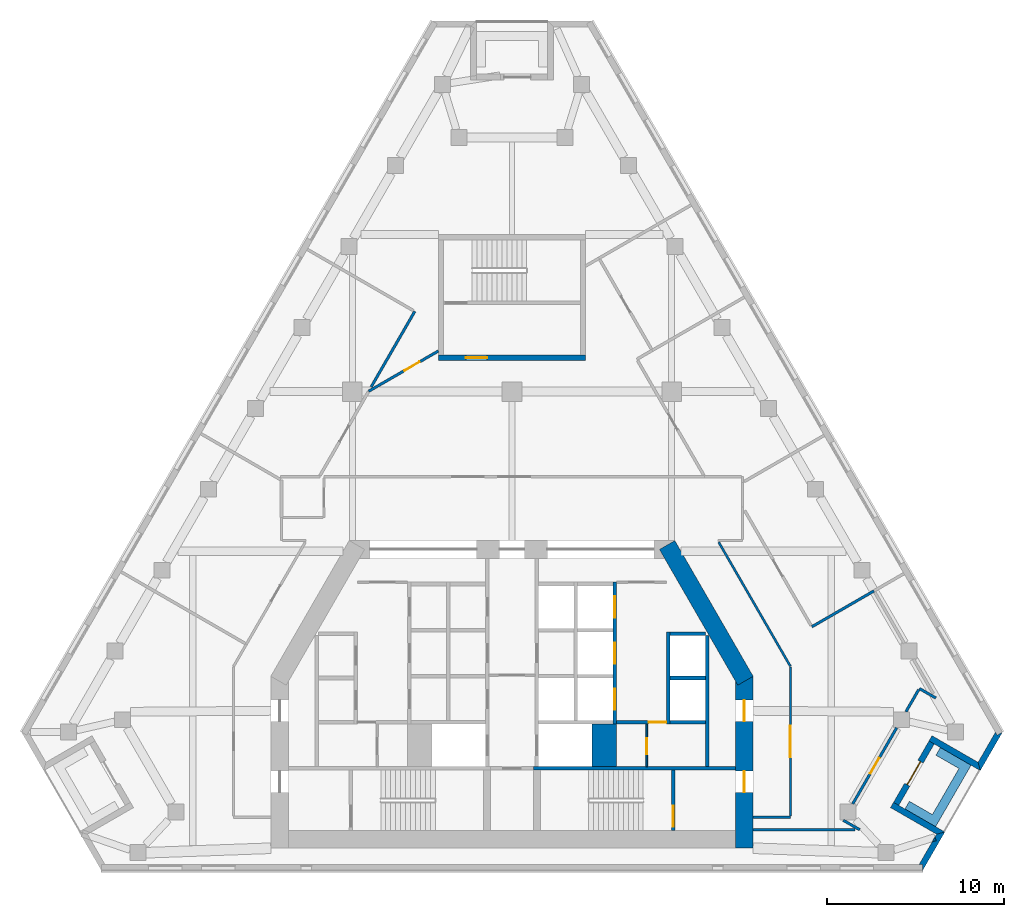
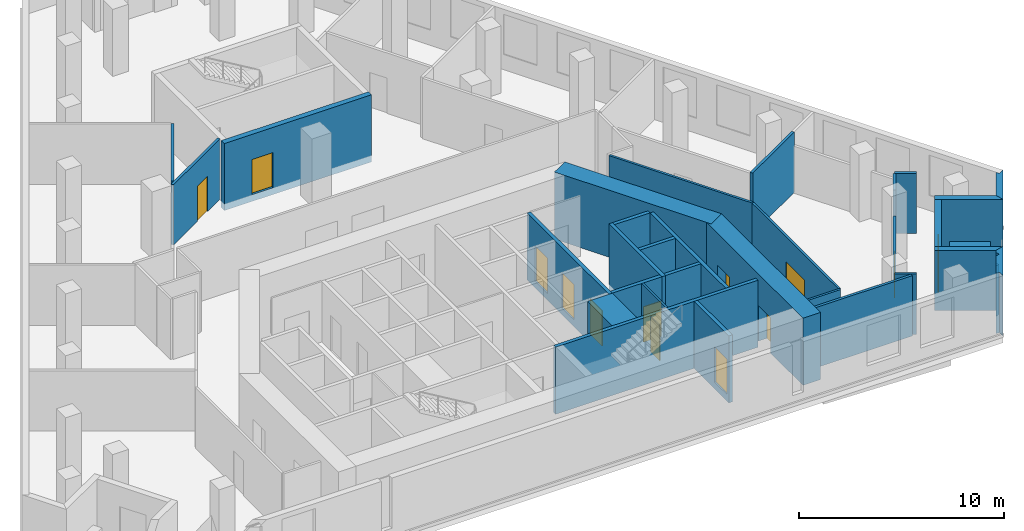
# One storey, part 6 of 9: 32 walls, 13 doors, 13 openings.
"""IFC4 building model written with IfcOpenShell, lengths in metres."""

from ifc_helpers import new_model, si_unit, direction, frame, frame_2d, origin, place, context, subcontext, project, spatial, polyline, rectangle, outline, extrude, material, layer, layer_set, type_object, element, fill, save


model = new_model("IFC4")

# Units and contexts
model_context = context("Model", 3, precision=1e-05, world=origin(), true_north=direction((0.0, 1.0)))
body_context = subcontext(model_context, "Body", "Model", "MODEL_VIEW")
ifc_project = project(units=[si_unit("LENGTHUNIT", "METRE"), si_unit("AREAUNIT", "SQUARE_METRE"), si_unit("VOLUMEUNIT", "CUBIC_METRE"), si_unit("PLANEANGLEUNIT", "RADIAN"), si_unit("MASSUNIT", "GRAM", prefix="KILO")], contexts=[model_context])

# Site, building, storey
site_placement = place(None, origin())
site = spatial("IfcSite", under=ifc_project, at=site_placement, CompositionType="ELEMENT")
building_placement = place(site_placement, origin())
building = spatial("IfcBuilding", under=site, at=building_placement, Name="Fogline Exchange Tower", CompositionType="ELEMENT")
storey_placement = place(building_placement, frame((0.0, 0.0, 198.10009765625)))
storey = spatial("IfcBuildingStorey", under=building, at=storey_placement, Name="L44", CompositionType="ELEMENT", Elevation=198.10009765625)

# Wall, opening, door
ifc_material_1 = material(Name="Blockwork partition", Category="masonry")
ifc_layer_1 = layer(ifc_material_1, 0.10009765625)
ifc_layer_set_1 = layer_set([ifc_layer_1], Name="CW10")
wall_type_1 = type_object("IfcWallType", Name="CW10", PredefinedType="PARTITIONING", material=ifc_layer_set_1)
wall_1_placement = place(storey_placement, frame((7.60009765625, 5.85009765625, 0.0), z_axis=(0.0, 0.0, 1.0), x_axis=(0.0, 1.0, 0.0)))
wall_1 = element("IfcWall", 1, at=wall_1_placement, inside=storey, type_object=wall_type_1, Name="WC partition", PredefinedType="PARTITIONING", context=body_context, shape_type="SweptSolid", body=[
    extrude(rectangle(XDim=2.39990234375, YDim=0.10009765625, at=frame_2d((1.199951171875, 0.0))), origin(), (0.0, 0.0, 1.0), 3.599853515625),
])
opening_1_placement = place(wall_1_placement, frame((0.699951171875, 0.0, 0.0)))
opening_1 = element("IfcOpeningElement", 2, at=opening_1_placement, cuts=wall_1, Name="Opening T14-C019", PredefinedType="OPENING", context=body_context, shape_type="SweptSolid", body=[
    extrude(rectangle(XDim=0.89990234375, YDim=2.10009765625, at=frame_2d((0.449951171875, 1.050048828125))), frame((0.0, 0.06005859375, 0.0), z_axis=(0.0, -1.0, 0.0), x_axis=(1.0, 0.0, 0.0)), (0.0, 0.0, 1.0), 0.1201171875),
])
ifc_material_2 = material(Name="Steel and timber fire door", Category="steel")
door_type_1 = type_object("IfcDoorType", Name="D-CS1", OperationType="SINGLE_SWING_RIGHT", PredefinedType="DOOR", material=ifc_material_2)
door_1_placement = place(opening_1_placement, origin())
door_1 = element("IfcDoor", 3, at=door_1_placement, inside=storey, type_object=door_type_1, Name="Door to Cleaner's Store", OperationType="SINGLE_SWING_LEFT", OverallHeight=2.10009765625, OverallWidth=0.89990234375, PredefinedType="DOOR", context=body_context, shape_type="SweptSolid", body=[
    extrude(rectangle(XDim=0.89990234375, YDim=2.10009765625, at=frame_2d((0.449951171875, 1.050048828125))), frame((0.0, 0.02490234375, 0.0), z_axis=(0.0, -1.0, 0.0), x_axis=(1.0, 0.0, 0.0)), (0.0, 0.0, 1.0), 0.050048828125),
])
fill(opening_1, door_1)

# Walls
ifc_material_3 = material(Name="Concrete C60", Category="concrete")
ifc_layer_2 = layer(ifc_material_3, 1.39990234375)
ifc_layer_set_2 = layer_set([ifc_layer_2], Name="CW140")
wall_type_2 = type_object("IfcWallType", Name="CW140", PredefinedType="SOLIDWALL", material=ifc_layer_set_2)
wall_2_placement = place(storey_placement, frame((5.199951171875, 5.85009765625, -0.400146484375), z_axis=(0.0, 0.0, 1.0), x_axis=(0.0, 1.0, 0.0)))
element("IfcWall", 4, at=wall_2_placement, inside=storey, type_object=wall_type_2, Name="Lift shaft block wall", PredefinedType="SOLIDWALL", context=body_context, shape_type="SweptSolid", body=[
    extrude(rectangle(XDim=2.39990234375, YDim=1.39990234375, at=frame_2d((1.199951171875, 0.0))), origin(), (0.0, 0.0, 1.0), 4.0),
])
ifc_material_4 = material(Name="Concrete C40", Category="concrete")
ifc_layer_3 = layer(ifc_material_4, 0.199951171875)
ifc_layer_set_3 = layer_set([ifc_layer_3], Name="CW20")
wall_type_3 = type_object("IfcWallType", Name="CW20", PredefinedType="SOLIDWALL", material=ifc_layer_set_3)
wall_3_placement = place(storey_placement, frame((11.0, 5.85009765625, 0.0), z_axis=(0.0, 0.0, 1.0), x_axis=(0.0, 1.0, 0.0)))
element("IfcWall", 5, at=wall_3_placement, inside=storey, type_object=wall_type_3, Name="Service room wall", PredefinedType="SOLIDWALL", context=body_context, shape_type="SweptSolid", body=[
    extrude(rectangle(XDim=7.39990234375, YDim=0.199951171875, at=frame_2d((3.699951171875, 0.0))), origin(), (0.0, 0.0, 1.0), 3.599853515625),
])

# Wall, opening, door
wall_4_placement = place(storey_placement, frame((5.89990234375, 8.35009765625, 0.0), z_axis=(0.0, 0.0, 1.0), x_axis=(1.0, 0.0, 0.0)))
wall_4 = element("IfcWall", 6, at=wall_4_placement, inside=storey, type_object=wall_type_3, Name="WC wall", PredefinedType="SOLIDWALL", context=body_context, shape_type="SweptSolid", body=[
    extrude(rectangle(XDim=2.800048828125, YDim=0.199951171875, at=frame_2d((1.39990234375, 0.0))), origin(), (0.0, 0.0, 1.0), 3.599853515625),
])
opening_2_placement = place(wall_4_placement, frame((1.800048828125, 0.0, 0.0)))
opening_2 = element("IfcOpeningElement", 7, at=opening_2_placement, cuts=wall_4, Name="Opening T14-C018", PredefinedType="OPENING", context=body_context, shape_type="SweptSolid", body=[
    extrude(rectangle(XDim=1.0, YDim=2.10009765625, at=frame_2d((0.5, 1.050048828125))), frame((0.0, 0.10986328125, 0.0), z_axis=(0.0, -1.0, 0.0), x_axis=(1.0, 0.0, 0.0)), (0.0, 0.0, 1.0), 0.219970703125),
])
door_type_2 = type_object("IfcDoorType", Name="D-WC1", OperationType="SINGLE_SWING_LEFT", PredefinedType="DOOR", material=ifc_material_2)
door_2_placement = place(opening_2_placement, frame((1.0, 0.0, 0.0), z_axis=(0.0, 0.0, 1.0), x_axis=(-1.0, 0.0, 0.0)))
door_2 = element("IfcDoor", 8, at=door_2_placement, inside=storey, type_object=door_type_2, Name="Door to Women's WC", OperationType="SINGLE_SWING_LEFT", OverallHeight=2.10009765625, OverallWidth=1.0, PredefinedType="DOOR", context=body_context, shape_type="SweptSolid", body=[
    extrude(rectangle(XDim=1.0, YDim=2.10009765625, at=frame_2d((0.5, 1.050048828125))), frame((0.0, 0.02490234375, 0.0), z_axis=(0.0, -1.0, 0.0), x_axis=(1.0, 0.0, 0.0)), (0.0, 0.0, 1.0), 0.050048828125),
])
fill(opening_2, door_2)

# Wall
ifc_layer_4 = layer(ifc_material_4, 0.199951171875)
ifc_layer_set_4 = layer_set([ifc_layer_4], Name="CW20R")
wall_type_4 = type_object("IfcWallType", Name="CW20R", PredefinedType="SOLIDWALL", material=ifc_layer_set_4)
wall_5_placement = place(storey_placement, frame((1.199951171875, 5.75, -0.400146484375), z_axis=(0.0, 0.0, 1.0), x_axis=(1.0, 0.0, 0.0)))
element("IfcWall", 9, at=wall_5_placement, inside=storey, type_object=wall_type_4, Name="Stair enclosure wall", PredefinedType="SOLIDWALL", context=body_context, shape_type="SweptSolid", body=[
    extrude(rectangle(XDim=11.400146484375, YDim=0.199951171875, at=frame_2d((5.7001953125, 0.0))), origin(), (0.0, 0.0, 1.0), 4.0),
])

# Wall, opening, door
wall_6_placement = place(storey_placement, frame((9.10009765625, 2.25, -0.400146484375), z_axis=(0.0, 0.0, 1.0), x_axis=(0.0, 1.0, 0.0)))
wall_6 = element("IfcWall", 10, at=wall_6_placement, inside=storey, type_object=wall_type_4, Name="Stair enclosure wall", PredefinedType="SOLIDWALL", context=body_context, shape_type="SweptSolid", body=[
    extrude(rectangle(XDim=3.39990234375, YDim=0.199951171875, at=frame_2d((1.699951171875, 0.0))), origin(), (0.0, 0.0, 1.0), 4.0),
])
opening_3_placement = place(wall_6_placement, frame((0.199951171875, 0.0, 0.39990234375)))
opening_3 = element("IfcOpeningElement", 11, at=opening_3_placement, cuts=wall_6, Name="Opening T14-C021", PredefinedType="OPENING", context=body_context, shape_type="SweptSolid", body=[
    extrude(rectangle(XDim=1.199951171875, YDim=2.10009765625, at=frame_2d((0.60009765625, 1.050048828125))), frame((0.0, 0.10986328125, 0.0), z_axis=(0.0, -1.0, 0.0), x_axis=(1.0, 0.0, 0.0)), (0.0, 0.0, 1.0), 0.219970703125),
])
door_type_3 = type_object("IfcDoorType", Name="D-ST1", OperationType="SINGLE_SWING_LEFT", PredefinedType="DOOR", material=ifc_material_2)
door_3_placement = place(opening_3_placement, origin())
door_3 = element("IfcDoor", 12, at=door_3_placement, inside=storey, type_object=door_type_3, Name="Stair door ST2", OperationType="SINGLE_SWING_LEFT", OverallHeight=2.10009765625, OverallWidth=1.199951171875, PredefinedType="DOOR", context=body_context, shape_type="SweptSolid", body=[
    extrude(rectangle(XDim=1.199951171875, YDim=2.10009765625, at=frame_2d((0.60009765625, 1.050048828125))), frame((0.0, 0.02490234375, 0.0), z_axis=(0.0, -1.0, 0.0), x_axis=(1.0, 0.0, 0.0)), (0.0, 0.0, 1.0), 0.050048828125),
])
fill(opening_3, door_3)

# Wall
ifc_layer_5 = layer(ifc_material_4, 0.199951171875)
ifc_layer_set_5 = layer_set([ifc_layer_5], Name="CW20S")
wall_type_5 = type_object("IfcWallType", Name="CW20S", PredefinedType="SOLIDWALL", material=ifc_layer_set_5)
wall_7_placement = place(storey_placement, frame((8.800048828125, 8.25, -0.400146484375), z_axis=(0.0, 0.0, 1.0), x_axis=(0.0, 1.0, 0.0)))
element("IfcWall", 13, at=wall_7_placement, inside=storey, type_object=wall_type_5, Name="Lift shaft wall", PredefinedType="SOLIDWALL", context=body_context, shape_type="SweptSolid", body=[
    extrude(rectangle(XDim=5.199951171875, YDim=0.199951171875, at=frame_2d((2.60009765625, 0.0))), origin(), (0.0, 0.0, 1.0), 4.0),
])

# Wall, openings, doors
wall_8_placement = place(storey_placement, frame((5.800048828125, 8.25, -0.400146484375), z_axis=(0.0, 0.0, 1.0), x_axis=(0.0, 1.0, 0.0)))
wall_8 = element("IfcWall", 14, at=wall_8_placement, inside=storey, type_object=wall_type_5, Name="Lift shaft wall", PredefinedType="SOLIDWALL", context=body_context, shape_type="SweptSolid", body=[
    extrude(rectangle(XDim=8.0, YDim=0.199951171875, at=frame_2d((4.0, 0.0))), origin(), (0.0, 0.0, 1.0), 4.0),
])
opening_4_placement = place(wall_8_placement, frame((0.800048828125, 0.0, 0.39990234375)))
opening_4 = element("IfcOpeningElement", 15, at=opening_4_placement, cuts=wall_8, Name="Opening T14-LD02", PredefinedType="OPENING", context=body_context, shape_type="SweptSolid", body=[
    extrude(rectangle(XDim=1.199951171875, YDim=2.10009765625, at=frame_2d((0.60009765625, 1.050048828125))), frame((0.0, 0.10986328125, 0.0), z_axis=(0.0, -1.0, 0.0), x_axis=(1.0, 0.0, 0.0)), (0.0, 0.0, 1.0), 0.219970703125),
])
opening_5_placement = place(wall_8_placement, frame((3.39990234375, 0.0, 0.39990234375)))
opening_5 = element("IfcOpeningElement", 16, at=opening_5_placement, cuts=wall_8, Name="Opening T14-LD03", PredefinedType="OPENING", context=body_context, shape_type="SweptSolid", body=[
    extrude(rectangle(XDim=1.199951171875, YDim=2.10009765625, at=frame_2d((0.60009765625, 1.050048828125))), frame((0.0, 0.10986328125, 0.0), z_axis=(0.0, -1.0, 0.0), x_axis=(1.0, 0.0, 0.0)), (0.0, 0.0, 1.0), 0.219970703125),
])
opening_6_placement = place(wall_8_placement, frame((6.0, 0.0, 0.39990234375)))
opening_6 = element("IfcOpeningElement", 17, at=opening_6_placement, cuts=wall_8, Name="Opening T14-LD04", PredefinedType="OPENING", context=body_context, shape_type="SweptSolid", body=[
    extrude(rectangle(XDim=1.199951171875, YDim=2.10009765625, at=frame_2d((0.60009765625, 1.050048828125))), frame((0.0, 0.10986328125, 0.0), z_axis=(0.0, -1.0, 0.0), x_axis=(1.0, 0.0, 0.0)), (0.0, 0.0, 1.0), 0.219970703125),
])
door_type_4 = type_object("IfcDoorType", Name="LD1", OperationType="SLIDING_TO_LEFT", PredefinedType="DOOR", material=ifc_material_2)
door_4_placement = place(opening_4_placement, origin())
door_4 = element("IfcDoor", 18, at=door_4_placement, inside=storey, type_object=door_type_4, Name="Landing door MR1", OperationType="SLIDING_TO_LEFT", OverallHeight=2.10009765625, OverallWidth=1.199951171875, PredefinedType="DOOR", context=body_context, shape_type="SweptSolid", body=[
    extrude(rectangle(XDim=1.199951171875, YDim=2.10009765625, at=frame_2d((0.60009765625, 1.050048828125))), frame((0.0, 0.02490234375, 0.0), z_axis=(0.0, -1.0, 0.0), x_axis=(1.0, 0.0, 0.0)), (0.0, 0.0, 1.0), 0.050048828125),
])
fill(opening_4, door_4)
door_5_placement = place(opening_5_placement, origin())
door_5 = element("IfcDoor", 19, at=door_5_placement, inside=storey, type_object=door_type_4, Name="Landing door MR2", OperationType="SLIDING_TO_LEFT", OverallHeight=2.10009765625, OverallWidth=1.199951171875, PredefinedType="DOOR", context=body_context, shape_type="SweptSolid", body=[
    extrude(rectangle(XDim=1.199951171875, YDim=2.10009765625, at=frame_2d((0.60009765625, 1.050048828125))), frame((0.0, 0.02490234375, 0.0), z_axis=(0.0, -1.0, 0.0), x_axis=(1.0, 0.0, 0.0)), (0.0, 0.0, 1.0), 0.050048828125),
])
fill(opening_5, door_5)
door_6_placement = place(opening_6_placement, origin())
door_6 = element("IfcDoor", 20, at=door_6_placement, inside=storey, type_object=door_type_4, Name="Landing door MR3", OperationType="SLIDING_TO_LEFT", OverallHeight=2.10009765625, OverallWidth=1.199951171875, PredefinedType="DOOR", context=body_context, shape_type="SweptSolid", body=[
    extrude(rectangle(XDim=1.199951171875, YDim=2.10009765625, at=frame_2d((0.60009765625, 1.050048828125))), frame((0.0, 0.02490234375, 0.0), z_axis=(0.0, -1.0, 0.0), x_axis=(1.0, 0.0, 0.0)), (0.0, 0.0, 1.0), 0.050048828125),
])
fill(opening_6, door_6)

# Walls
for number, where, z_axis, x_axis, name in (
    (21, (8.89990234375, 8.35009765625, -0.400146484375), (0.0, 0.0, 1.0), (1.0, 0.0, 0.0), "Lift shaft wall"),
    (22, (8.89990234375, 10.85009765625, -0.400146484375), (0.0, 0.0, 1.0), (1.0, 0.0, 0.0), "Lift shaft wall"),
    (23, (8.89990234375, 13.35009765625, -0.400146484375), (0.0, 0.0, 1.0), (1.0, 0.0, 0.0), "Lift shaft wall"),
):
    element("IfcWall", number, at=place(storey_placement, frame(where, z_axis=z_axis, x_axis=x_axis)), inside=storey, type_object=wall_type_5, Name=name, PredefinedType="SOLIDWALL", context=body_context, shape_type="SweptSolid", body=[
        extrude(rectangle(XDim=2.0, YDim=0.199951171875, at=frame_2d((1.0, 0.0))), origin(), (0.0, 0.0, 1.0), 4.0),
    ])

# Wall, opening, door
ifc_layer_6 = layer(ifc_material_4, 0.300048828125)
ifc_layer_set_6 = layer_set([ifc_layer_6], Name="CW30")
wall_type_6 = type_object("IfcWallType", Name="CW30", PredefinedType="SOLIDWALL", material=ifc_layer_set_6)
wall_9_placement = place(storey_placement, frame((-4.14990234375, 28.906982421875, -0.400146484375), z_axis=(0.0, 0.0, 1.0), x_axis=(1.0, 0.0, 0.0)))
wall_9 = element("IfcWall", 24, at=wall_9_placement, inside=storey, type_object=wall_type_6, Name="Stair enclosure wall ST3", PredefinedType="SOLIDWALL", context=body_context, shape_type="SweptSolid", body=[
    extrude(rectangle(XDim=8.2998046875, YDim=0.300048828125, at=frame_2d((4.14990234375, 0.0))), origin(), (0.0, 0.0, 1.0), 4.0),
])
opening_7_placement = place(wall_9_placement, frame((1.550048828125, 0.0, 0.39990234375)))
opening_7 = element("IfcOpeningElement", 25, at=opening_7_placement, cuts=wall_9, Name="Opening T14-C027", PredefinedType="OPENING", context=body_context, shape_type="SweptSolid", body=[
    extrude(rectangle(XDim=1.199951171875, YDim=2.10009765625, at=frame_2d((0.60009765625, 1.050048828125))), frame((0.0, 0.16015625, 0.0), z_axis=(0.0, -1.0, 0.0), x_axis=(1.0, 0.0, 0.0)), (0.0, 0.0, 1.0), 0.320068359375),
])
door_type_5 = type_object("IfcDoorType", Name="D-FR1", OperationType="SINGLE_SWING_RIGHT", PredefinedType="DOOR", material=ifc_material_2)
door_7_placement = place(opening_7_placement, origin())
door_7 = element("IfcDoor", 26, at=door_7_placement, inside=storey, type_object=door_type_5, Name="Front room door ST3", OperationType="SINGLE_SWING_LEFT", OverallHeight=2.10009765625, OverallWidth=1.199951171875, PredefinedType="DOOR", context=body_context, shape_type="SweptSolid", body=[
    extrude(rectangle(XDim=1.199951171875, YDim=2.10009765625, at=frame_2d((0.60009765625, 1.050048828125))), frame((0.0, 0.02490234375, 0.0), z_axis=(0.0, -1.0, 0.0), x_axis=(1.0, 0.0, 0.0)), (0.0, 0.0, 1.0), 0.050048828125),
])
fill(opening_7, door_7)

# Walls
ifc_material_5 = material(Name="Brick masonry", Category="masonry")
ifc_layer_7 = layer(ifc_material_5, 0.340087890625)
ifc_layer_set_7 = layer_set([ifc_layer_7], Name="FW1")
wall_type_7 = type_object("IfcWallType", Name="FW1", PredefinedType="SOLIDWALL", material=ifc_layer_set_7)
wall_10_placement = place(storey_placement, origin())
element("IfcWall", 27, at=wall_10_placement, inside=storey, type_object=wall_type_7, Name="Brick wall L44 SE-c1", PredefinedType="SOLIDWALL", context=body_context, shape_type="SweptSolid", body=[
    extrude(outline(polyline([(23.850341796875, 1.87890625), (23.912109375, 1.68408203125), (23.698974609375, 1.616455078125), (23.850341796875, 1.87890625)])), origin(), (0.0, 0.0, 1.0), 3.0),
])
wall_11_placement = place(storey_placement, origin())
element("IfcWall", 28, at=wall_11_placement, inside=storey, type_object=wall_type_7, Name="Brick wall L44 SE-c1", PredefinedType="SOLIDWALL", context=body_context, shape_type="SweptSolid", body=[
    extrude(outline(polyline([(23.158935546875, -0.001220703125), (23.158203125, -0.0009765625), (23.158203125, 0.33935546875), (22.961669921875, 0.33935546875), (23.698974609375, 1.616455078125), (23.912109375, 1.68408203125), (23.850341796875, 1.87890625), (23.944091796875, 2.041015625), (24.40966796875, 2.166015625), (24.409912109375, 2.165771484375), (23.158935546875, -0.001220703125)])), origin(), (0.0, 0.0, 1.0), 3.599853515625),
])
wall_12_placement = place(storey_placement, origin())
element("IfcWall", 29, at=wall_12_placement, inside=storey, type_object=wall_type_7, Name="Brick wall L44 SE-s1", PredefinedType="SOLIDWALL", context=body_context, shape_type="SweptSolid", body=[
    extrude(outline(polyline([(21.345458984375, 3.540283203125), (21.51611328125, 3.8359375), (21.81103515625, 3.66552734375), (24.41015625, 2.1650390625), (24.41015625, 2.164794921875), (23.9443359375, 2.0400390625), (21.345458984375, 3.540283203125)])), origin(), (0.0, 0.0, 1.0), 3.599853515625),
])

# Wall, opening, door
wall_13_placement = place(storey_placement, frame((21.66357421875, 3.75, 0.0), z_axis=(0.0, 0.0, 1.0), x_axis=(0.49999894854, 0.866026010844, 0.0)))
wall_13 = element("IfcWall", 30, at=wall_13_placement, inside=storey, type_object=wall_type_7, Name="Brick wall L44 SE-bk", PredefinedType="SOLIDWALL", context=body_context, shape_type="SweptSolid", body=[
    extrude(rectangle(XDim=4.0, YDim=0.340087890625, at=frame_2d((2.0, 0.0))), origin(), (0.0, 0.0, 1.0), 3.599853515625),
])
opening_8_placement = place(wall_13_placement, frame((1.25, 0.0, 0.0)))
opening_8 = element("IfcOpeningElement", 31, at=opening_8_placement, cuts=wall_13, Name="Opening T14-E081", PredefinedType="OPENING", context=body_context, shape_type="SweptSolid", body=[
    extrude(rectangle(XDim=1.5, YDim=2.39990234375, at=frame_2d((0.75, 1.199951171875))), frame((0.0, 0.18017578125, 0.0), z_axis=(0.0, -1.0, 0.0), x_axis=(1.0, 0.0, 0.0)), (0.0, 0.0, 1.0), 0.360107421875),
])
ifc_material_6 = material(Name="Aluminium and glass", Category="aluminium")
door_type_6 = type_object("IfcDoorType", Name="ED4", OperationType="SINGLE_SWING_LEFT", PredefinedType="DOOR", material=ifc_material_6)
door_8_placement = place(opening_8_placement, frame((1.5, 0.0, 0.0), z_axis=(0.0, 0.0, 1.0), x_axis=(-1.0, 0.0, 0.0)))
door_8 = element("IfcDoor", 32, at=door_8_placement, inside=storey, type_object=door_type_6, Name="Balcony door L44 SE", OperationType="DOUBLE_DOOR_SINGLE_SWING", OverallHeight=2.39990234375, OverallWidth=1.5, PredefinedType="DOOR", context=body_context, shape_type="SweptSolid", body=[
    extrude(rectangle(XDim=1.5, YDim=2.39990234375, at=frame_2d((0.75, 1.199951171875))), frame((0.0, 0.02490234375, 0.0), z_axis=(0.0, -1.0, 0.0), x_axis=(1.0, 0.0, 0.0)), (0.0, 0.0, 1.0), 0.050048828125),
])
fill(opening_8, door_8)

# Walls
wall_14_placement = place(storey_placement, origin())
element("IfcWall", 33, at=wall_14_placement, inside=storey, type_object=wall_type_7, Name="Brick wall L44 SE-s2", PredefinedType="SOLIDWALL", context=body_context, shape_type="SweptSolid", body=[
    extrude(outline(polyline([(26.409423828125, 5.628173828125), (23.810546875, 7.128662109375), (23.515625, 7.298828125), (23.686279296875, 7.594482421875), (26.284912109375, 6.093994140625), (26.40966796875, 5.62841796875), (26.409423828125, 5.628173828125)])), origin(), (0.0, 0.0, 1.0), 3.599853515625),
])
wall_15_placement = place(storey_placement, origin())
element("IfcWall", 34, at=wall_15_placement, inside=storey, type_object=wall_type_7, Name="Brick wall L44 SE-c2", PredefinedType="SOLIDWALL", context=body_context, shape_type="SweptSolid", body=[
    extrude(outline(polyline([(27.266357421875, 7.79541015625), (27.36474609375, 7.625), (27.65966796875, 7.79541015625), (27.659912109375, 7.794921875), (26.408935546875, 5.6279296875), (26.40869140625, 5.6279296875), (26.283935546875, 6.09375), (27.266357421875, 7.79541015625)])), origin(), (0.0, 0.0, 1.0), 3.599853515625),
])
ifc_material_7 = material(Name="Concrete C30", Category="concrete")
ifc_layer_8 = layer(ifc_material_7, 0.199951171875)
ifc_layer_set_8 = layer_set([ifc_layer_8], Name="PL1")
wall_type_8 = type_object("IfcWallType", Name="PL1", PredefinedType="USERDEFINED", material=ifc_layer_set_8)
wall_16_placement = place(storey_placement, origin())
element("IfcWall", 35, at=wall_16_placement, inside=storey, type_object=wall_type_8, Name="PLANTER balcony L44 SE", ObjectType="PLANTER", PredefinedType="USERDEFINED", context=body_context, shape_type="SweptSolid", body=[
    extrude(outline(polyline([(22.1572265625, 3.465087890625), (23.456298828125, 2.715087890625), (23.456298828125, 2.715087890625), (23.889404296875, 2.465087890625), (25.639404296875, 5.49609375), (25.889404296875, 5.92919921875), (24.1572265625, 6.92919921875), (23.9072265625, 6.49609375), (25.206298828125, 5.74609375), (23.706298828125, 3.148193359375), (22.4072265625, 3.898193359375), (22.1572265625, 3.465087890625)])), origin(), (0.0, 0.0, 1.0), 1.099853515625),
])
ifc_material_8 = material(Name="Plasterboard corridor partition with mineral wool, 2 layers each side")
ifc_layer_9 = layer(ifc_material_8, 0.125)
ifc_layer_set_9 = layer_set([ifc_layer_9], Name="PW2")
wall_type_9 = type_object("IfcWallType", Name="PW2", PredefinedType="PARTITIONING", material=ifc_layer_set_9)
wall_17_placement = place(storey_placement, frame((11.659912109375, 18.505859375, 0.0), z_axis=(0.0, 0.0, 1.0), x_axis=(0.499986612749, -0.866033132779, 0.0)))
element("IfcWall", 36, at=wall_17_placement, inside=storey, type_object=wall_type_9, Name="wall-L44-W001", PredefinedType="PARTITIONING", context=body_context, shape_type="SweptSolid", body=[
    extrude(rectangle(XDim=8.080322265625, YDim=0.125, at=frame_2d((4.0400390625, 0.0))), origin(), (0.0, 0.0, 1.0), 3.599853515625),
])

# Wall, opening, door
wall_18_placement = place(storey_placement, frame((15.699951171875, 11.47705078125, 0.0), z_axis=(0.0, 0.0, 1.0), x_axis=(0.0, -1.0, 0.0)))
wall_18 = element("IfcWall", 37, at=wall_18_placement, inside=storey, type_object=wall_type_9, Name="wall-L44-W002", PredefinedType="PARTITIONING", context=body_context, shape_type="SweptSolid", body=[
    extrude(rectangle(XDim=8.41455078125, YDim=0.125, at=frame_2d((4.207275390625, 0.0))), origin(), (0.0, 0.0, 1.0), 3.599853515625),
])
opening_9_placement = place(wall_18_placement, frame((3.307373046875, 0.0, 0.0)))
opening_9 = element("IfcOpeningElement", 38, at=opening_9_placement, cuts=wall_18, Name="Opening T14-D001", PredefinedType="OPENING", context=body_context, shape_type="SweptSolid", body=[
    extrude(rectangle(XDim=1.800048828125, YDim=2.10009765625, at=frame_2d((0.89990234375, 1.050048828125))), frame((0.0, 0.072509765625, 0.0), z_axis=(0.0, -1.0, 0.0), x_axis=(1.0, 0.0, 0.0)), (0.0, 0.0, 1.0), 0.14501953125),
])
ifc_material_9 = material(Name="Fire-rated timber door leaves with steel frame", Category="steel")
door_type_7 = type_object("IfcDoorType", Name="D4", OperationType="DOUBLE_DOOR_SINGLE_SWING", PredefinedType="DOOR", material=ifc_material_9)
door_9_placement = place(opening_9_placement, frame((1.800048828125, 0.0, 0.0), z_axis=(0.0, 0.0, 1.0), x_axis=(-1.0, 0.0, 0.0)))
door_9 = element("IfcDoor", 39, at=door_9_placement, inside=storey, type_object=door_type_7, Name="door-L44-D001", OperationType="DOUBLE_DOOR_SINGLE_SWING", OverallHeight=2.10009765625, OverallWidth=1.800048828125, PredefinedType="DOOR", context=body_context, shape_type="SweptSolid", body=[
    extrude(rectangle(XDim=1.800048828125, YDim=2.10009765625, at=frame_2d((0.89990234375, 1.050048828125))), frame((0.0, 0.02490234375, 0.0), z_axis=(0.0, -1.0, 0.0), x_axis=(1.0, 0.0, 0.0)), (0.0, 0.0, 1.0), 0.050048828125),
])
fill(opening_9, door_9)

# Walls
wall_19_placement = place(storey_placement, frame((15.699951171875, 3.0, 0.0), z_axis=(0.0, 0.0, 1.0), x_axis=(-1.0, 0.0, 0.0)))
element("IfcWall", 40, at=wall_19_placement, inside=storey, type_object=wall_type_9, Name="wall-L44-W003", PredefinedType="PARTITIONING", context=body_context, shape_type="SweptSolid", body=[
    extrude(rectangle(XDim=2.099853515625, YDim=0.125, at=frame_2d((1.0498046875, 0.0))), origin(), (0.0, 0.0, 1.0), 3.599853515625),
])
ifc_material_10 = material(Name="Plasterboard demising partition with mineral wool and acoustic board")
ifc_layer_10 = layer(ifc_material_10, 0.14990234375)
ifc_layer_set_10 = layer_set([ifc_layer_10], Name="PW3")
wall_type_10 = type_object("IfcWallType", Name="PW3", PredefinedType="PARTITIONING", material=ifc_layer_set_10)
wall_20_placement = place(storey_placement, frame((20.414794921875, 15.761474609375, 0.0), z_axis=(0.0, 0.0, 1.0), x_axis=(-0.866046058097, -0.499964223975, 0.0)))
element("IfcWall", 41, at=wall_20_placement, inside=storey, type_object=wall_type_10, Name="wall-L44-W020", PredefinedType="PARTITIONING", context=body_context, shape_type="SweptSolid", body=[
    extrude(rectangle(XDim=4.050048828125, YDim=0.14990234375, at=frame_2d((2.02490234375, 0.0))), origin(), (0.0, 0.0, 1.0), 3.599853515625),
])

# Wall, opening, door
wall_21_placement = place(storey_placement, frame((-8.08251953125, 27.021484375, 0.0), z_axis=(0.0, 0.0, 1.0), x_axis=(0.866024429177, 0.500001688065, 0.0)))
wall_21 = element("IfcWall", 42, at=wall_21_placement, inside=storey, type_object=wall_type_10, Name="wall-L44-W028", PredefinedType="PARTITIONING", context=body_context, shape_type="SweptSolid", body=[
    extrude(rectangle(XDim=4.541015625, YDim=0.14990234375, at=frame_2d((2.2705078125, 0.0))), origin(), (0.0, 0.0, 1.0), 3.599853515625),
])
opening_10_placement = place(wall_21_placement, frame((2.323486328125, 0.0, 0.0)))
opening_10 = element("IfcOpeningElement", 43, at=opening_10_placement, cuts=wall_21, Name="Opening T14-D010", PredefinedType="OPENING", context=body_context, shape_type="SweptSolid", body=[
    extrude(rectangle(XDim=1.0, YDim=2.10009765625, at=frame_2d((0.5, 1.050048828125))), frame((0.0, 0.0849609375, 0.0), z_axis=(0.0, -1.0, 0.0), x_axis=(1.0, 0.0, 0.0)), (0.0, 0.0, 1.0), 0.169921875),
])
ifc_material_11 = material(Name="Fire-rated timber door leaf with steel frame", Category="steel")
door_type_8 = type_object("IfcDoorType", Name="D3", OperationType="SINGLE_SWING_LEFT", PredefinedType="DOOR", material=ifc_material_11)
door_10_placement = place(opening_10_placement, origin())
door_10 = element("IfcDoor", 44, at=door_10_placement, inside=storey, type_object=door_type_8, Name="door-L44-D010", OperationType="SINGLE_SWING_RIGHT", OverallHeight=2.10009765625, OverallWidth=1.0, PredefinedType="DOOR", context=body_context, shape_type="SweptSolid", body=[
    extrude(rectangle(XDim=1.0, YDim=2.10009765625, at=frame_2d((0.5, 1.050048828125))), frame((0.0, 0.02490234375, 0.0), z_axis=(0.0, -1.0, 0.0), x_axis=(1.0, 0.0, 0.0)), (0.0, 0.0, 1.0), 0.050048828125),
])
fill(opening_10, door_10)

# Walls
wall_22_placement = place(storey_placement, frame((-7.9423828125, 27.26416015625, 0.0), z_axis=(0.0, 0.0, 1.0), x_axis=(0.499973161126, 0.866040898661, 0.0)))
element("IfcWall", 45, at=wall_22_placement, inside=storey, type_object=wall_type_10, Name="wall-L44-W030", PredefinedType="PARTITIONING", context=body_context, shape_type="SweptSolid", body=[
    extrude(rectangle(XDim=4.917236328125, YDim=0.14990234375, at=frame_2d((2.45849609375, 0.0))), origin(), (0.0, 0.0, 1.0), 3.599853515625),
])
wall_23_placement = place(storey_placement, frame((13.60009765625, 2.2900390625, 0.0), z_axis=(0.0, 0.0, 1.0), x_axis=(1.0, 0.0, 0.0)))
element("IfcWall", 46, at=wall_23_placement, inside=storey, type_object=wall_type_10, Name="wall-L44-W036", PredefinedType="PARTITIONING", context=body_context, shape_type="SweptSolid", body=[
    extrude(rectangle(XDim=5.732177734375, YDim=0.14990234375, at=frame_2d((2.8662109375, 0.0))), origin(), (0.0, 0.0, 1.0), 3.599853515625),
])
wall_24_placement = place(storey_placement, frame((19.612548828125, 2.2900390625, 0.0), z_axis=(0.0, 0.0, 1.0), x_axis=(-0.866037924238, 0.499978313311, 0.0)))
element("IfcWall", 47, at=wall_24_placement, inside=storey, type_object=wall_type_10, Name="wall-L44-W037", PredefinedType="PARTITIONING", context=body_context, shape_type="SweptSolid", body=[
    extrude(rectangle(XDim=1.07373046875, YDim=0.14990234375, at=frame_2d((0.536865234375, 0.0))), origin(), (0.0, 0.0, 1.0), 3.599853515625),
])

# Wall, opening, door
wall_25_placement = place(storey_placement, frame((19.215087890625, 3.7490234375, 0.0), z_axis=(0.0, 0.0, 1.0), x_axis=(0.499976646485, 0.866038886523, 0.0)))
wall_25 = element("IfcWall", 48, at=wall_25_placement, inside=storey, type_object=wall_type_10, Name="wall-L44-W038", PredefinedType="PARTITIONING", context=body_context, shape_type="SweptSolid", body=[
    extrude(rectangle(XDim=4.960693359375, YDim=0.14990234375, at=frame_2d((2.48046875, 0.0))), origin(), (0.0, 0.0, 1.0), 2.7998046875),
])
opening_11_placement = place(wall_25_placement, frame((1.98046875, 0.0, 0.0)))
opening_11 = element("IfcOpeningElement", 49, at=opening_11_placement, cuts=wall_25, Name="Opening T14-D012", PredefinedType="OPENING", context=body_context, shape_type="SweptSolid", body=[
    extrude(rectangle(XDim=1.0, YDim=2.10009765625, at=frame_2d((0.5, 1.050048828125))), frame((0.0, 0.0849609375, 0.0), z_axis=(0.0, -1.0, 0.0), x_axis=(1.0, 0.0, 0.0)), (0.0, 0.0, 1.0), 0.169921875),
])
door_11_placement = place(opening_11_placement, frame((1.0, 0.0, 0.0), z_axis=(0.0, 0.0, 1.0), x_axis=(-1.0, 0.0, 0.0)))
door_11 = element("IfcDoor", 50, at=door_11_placement, inside=storey, type_object=door_type_8, Name="door-L44-D012", OperationType="SINGLE_SWING_LEFT", OverallHeight=2.10009765625, OverallWidth=1.0, PredefinedType="DOOR", context=body_context, shape_type="SweptSolid", body=[
    extrude(rectangle(XDim=1.0, YDim=2.10009765625, at=frame_2d((0.5, 1.050048828125))), frame((0.0, 0.02490234375, 0.0), z_axis=(0.0, -1.0, 0.0), x_axis=(1.0, 0.0, 0.0)), (0.0, 0.0, 1.0), 0.050048828125),
])
fill(opening_11, door_11)

# Walls
wall_26_placement = place(storey_placement, frame((22.215087890625, 8.9453125, 0.0), z_axis=(0.0, 0.0, 1.0), x_axis=(0.499986626058, 0.866033125095, 0.0)))
element("IfcWall", 51, at=wall_26_placement, inside=storey, type_object=wall_type_10, Name="wall-L44-W039", PredefinedType="PARTITIONING", context=body_context, shape_type="SweptSolid", body=[
    extrude(rectangle(XDim=1.43994140625, YDim=0.14990234375, at=frame_2d((0.719970703125, 0.0))), origin(), (0.0, 0.0, 1.0), 3.599853515625),
])
wall_27_placement = place(storey_placement, frame((22.97265625, 10.25732421875, 0.0), z_axis=(0.0, 0.0, 1.0), x_axis=(0.866037924238, -0.499978313311, 0.0)))
element("IfcWall", 52, at=wall_27_placement, inside=storey, type_object=wall_type_10, Name="wall-L44-W040", PredefinedType="PARTITIONING", context=body_context, shape_type="SweptSolid", body=[
    extrude(rectangle(XDim=1.07373046875, YDim=0.14990234375, at=frame_2d((0.536865234375, 0.0))), origin(), (0.0, 0.0, 1.0), 3.599853515625),
])

# Wall, openings, doors
ifc_layer_11 = layer(ifc_material_3, 1.0)
ifc_layer_set_11 = layer_set([ifc_layer_11], Name="SW03")
wall_type_11 = type_object("IfcWallType", Name="SW03", PredefinedType="SHEAR", material=ifc_layer_set_11)
wall_28_placement = place(storey_placement, frame((13.10009765625, 1.25, 0.0), z_axis=(0.0, 0.0, 1.0), x_axis=(0.0, 1.0, 0.0)))
wall_28 = element("IfcWall", 53, at=wall_28_placement, inside=storey, type_object=wall_type_11, Name="L44-W902", PredefinedType="SHEAR", context=body_context, shape_type="SweptSolid", body=[
    extrude(rectangle(XDim=9.6953125, YDim=1.0, at=frame_2d((4.84765625, 0.0))), origin(), (0.0, 0.0, 1.0), 4.0),
])
opening_12_placement = place(wall_28_placement, frame((3.14990234375, 0.0, 0.0)))
opening_12 = element("IfcOpeningElement", 54, at=opening_12_placement, cuts=wall_28, Name="Opening T14-C020", PredefinedType="OPENING", context=body_context, shape_type="SweptSolid", body=[
    extrude(rectangle(XDim=1.199951171875, YDim=2.10009765625, at=frame_2d((0.60009765625, 1.050048828125))), frame((0.0, 0.510009765625, 0.0), z_axis=(0.0, -1.0, 0.0), x_axis=(1.0, 0.0, 0.0)), (0.0, 0.0, 1.0), 1.02001953125),
])
opening_13_placement = place(wall_28_placement, frame((7.14990234375, 0.0, 0.0)))
opening_13 = element("IfcOpeningElement", 55, at=opening_13_placement, cuts=wall_28, Name="Opening T14-C022", PredefinedType="OPENING", context=body_context, shape_type="SweptSolid", body=[
    extrude(rectangle(XDim=1.199951171875, YDim=2.10009765625, at=frame_2d((0.60009765625, 1.050048828125))), frame((0.0, 0.510009765625, 0.0), z_axis=(0.0, -1.0, 0.0), x_axis=(1.0, 0.0, 0.0)), (0.0, 0.0, 1.0), 1.02001953125),
])
door_12_placement = place(opening_12_placement, origin())
door_12 = element("IfcDoor", 56, at=door_12_placement, inside=storey, type_object=door_type_5, Name="Front room door ST2", OperationType="SINGLE_SWING_RIGHT", OverallHeight=2.10009765625, OverallWidth=1.199951171875, PredefinedType="DOOR", context=body_context, shape_type="SweptSolid", body=[
    extrude(rectangle(XDim=1.199951171875, YDim=2.10009765625, at=frame_2d((0.60009765625, 1.050048828125))), frame((0.0, 0.02490234375, 0.0), z_axis=(0.0, -1.0, 0.0), x_axis=(1.0, 0.0, 0.0)), (0.0, 0.0, 1.0), 0.050048828125),
])
fill(opening_12, door_12)
door_type_9 = type_object("IfcDoorType", Name="D-SV1", OperationType="SINGLE_SWING_LEFT", PredefinedType="DOOR", material=ifc_material_2)
door_13_placement = place(opening_13_placement, origin())
door_13 = element("IfcDoor", 57, at=door_13_placement, inside=storey, type_object=door_type_9, Name="Service door E", OperationType="SINGLE_SWING_RIGHT", OverallHeight=2.10009765625, OverallWidth=1.199951171875, PredefinedType="DOOR", context=body_context, shape_type="SweptSolid", body=[
    extrude(rectangle(XDim=1.199951171875, YDim=2.10009765625, at=frame_2d((0.60009765625, 1.050048828125))), frame((0.0, 0.02490234375, 0.0), z_axis=(0.0, -1.0, 0.0), x_axis=(1.0, 0.0, 0.0)), (0.0, 0.0, 1.0), 0.050048828125),
])
fill(opening_13, door_13)

# Wall
wall_29_placement = place(storey_placement, frame((13.1669921875, 10.6953125, 0.0), z_axis=(0.0, 0.0, 1.0), x_axis=(-0.499995021168, 0.866028278295, 0.0)))
element("IfcWall", 58, at=wall_29_placement, inside=storey, type_object=wall_type_11, Name="L44-W903", PredefinedType="SHEAR", context=body_context, shape_type="SweptSolid", body=[
    extrude(rectangle(XDim=8.8388671875, YDim=1.0, at=frame_2d((4.41943359375, 0.0))), origin(), (0.0, 0.0, 1.0), 4.0),
])

save(model, "model.ifc")
